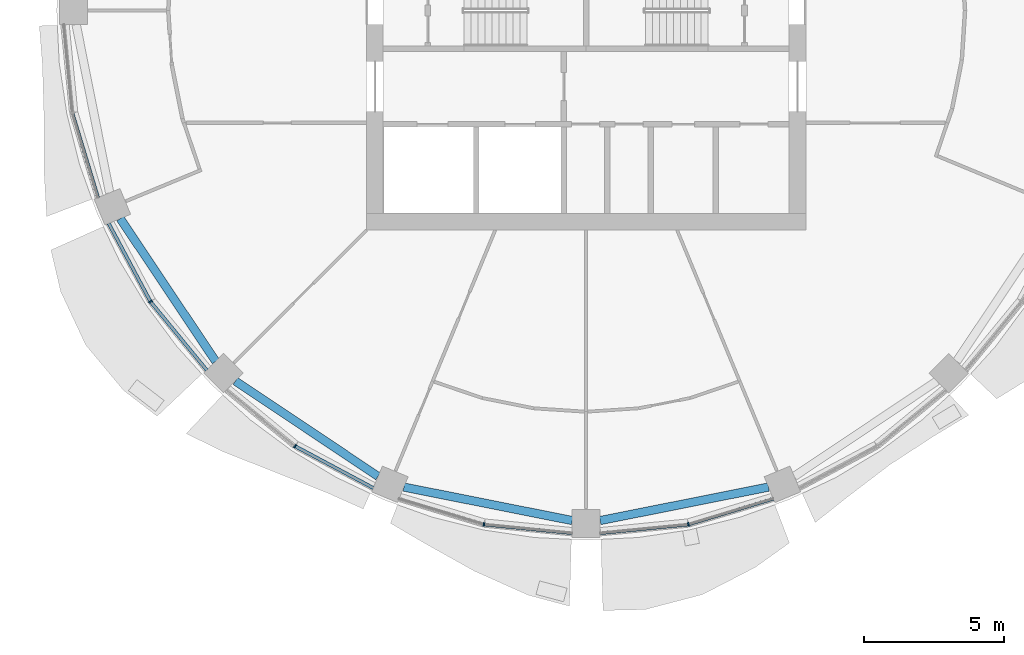
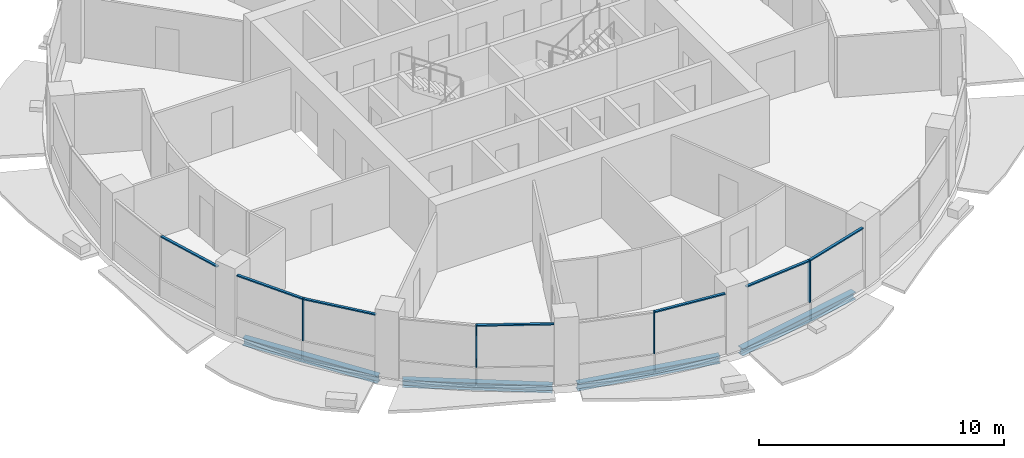
# One storey, part 2 of 15: 11 members, 4 beams, 5 elements without a shape of their own.
"""IFC4 building model written with IfcOpenShell, lengths in metres."""

import ifcopenshell
import ifcopenshell.guid

model = None  # the IFC model being written
_history = None  # IfcOwnerHistory: only IFC2X3 demands one
_inside = {}  # id of a spatial element -> (the spatial element, [elements in it])
_under = {}  # id of a project, library or spatial element -> (it, [spatial elements below it])
_declared = {}  # id of a project -> (the project, [libraries it declares])
_typed = {}  # id of a type object -> (the type object, [elements of that type])
_made_of = {}  # id of a material, layer set ... -> (it, [elements and type objects made of it])


def new_model(schema):
    """Start an empty IFC model of exactly this schema.

    Asked for "IFC4X3", IfcOpenShell would pick the latest addendum, in which some entities
    have other attributes; the version numbers below select the first issue.
    IFC2X3 requires an IfcOwnerHistory on every rooted entity: one is made here for all.
    """
    global model, _history
    if schema == "IFC4X3":
        model = ifcopenshell.file(schema_version=(4, 3, 0, 0))
    else:
        model = ifcopenshell.file(schema=schema)
    _inside.clear()
    _under.clear()
    _declared.clear()
    _typed.clear()
    _made_of.clear()
    _history = None
    if model.schema == "IFC2X3":
        org = make("IfcOrganization", Name="unknown")
        user = make(
            "IfcPersonAndOrganization",
            ThePerson=make("IfcPerson", FamilyName="unknown"),
            TheOrganization=org,
        )
        app = make(
            "IfcApplication",
            ApplicationDeveloper=org,
            Version="unknown",
            ApplicationFullName="unknown",
            ApplicationIdentifier="unknown",
        )
        _history = make(
            "IfcOwnerHistory",
            OwningUser=user,
            OwningApplication=app,
            ChangeAction="ADDED",
            CreationDate=0,
        )
    return model


def make(cls, **values):
    """One entity of the class cls with the attributes given. An attribute that is None is left unset."""
    return model.create_entity(
        cls, **{name: value for name, value in values.items() if value is not None}
    )


def rooted(cls, **values):
    """An entity with a GlobalId (a new one), such as an element, a storey or a relation."""
    return make(cls, GlobalId=ifcopenshell.guid.new(), OwnerHistory=_history, **values)


def si_unit(unit_type, name, prefix=None):
    """IfcSIUnit, for example si_unit("LENGTHUNIT", "METRE", prefix="MILLI")."""
    return make("IfcSIUnit", UnitType=unit_type, Prefix=prefix, Name=name)


def assignment(units):
    """IfcUnitAssignment: the units of a project."""
    return None if units is None else make("IfcUnitAssignment", Units=units)


def point(xyz):
    """IfcCartesianPoint."""
    return None if xyz is None else make("IfcCartesianPoint", Coordinates=xyz)


def direction(xyz):
    """IfcDirection."""
    return None if xyz is None else make("IfcDirection", DirectionRatios=xyz)


def frame(location, z_axis=None, x_axis=None):
    """IfcAxis2Placement3D, a coordinate frame: its origin and axes. An axis left out is left unset."""
    return make(
        "IfcAxis2Placement3D",
        Location=point(location),
        Axis=direction(z_axis),
        RefDirection=direction(x_axis),
    )


def frame_2d(location, x_axis=None):
    """IfcAxis2Placement2D, a coordinate frame in the plane: its origin and x axis."""
    return make(
        "IfcAxis2Placement2D", Location=point(location), RefDirection=direction(x_axis)
    )


def origin():
    """The frame at (0, 0, 0) with its axes left unset."""
    return frame((0.0, 0.0, 0.0))


def origin_2d():
    """The frame at (0, 0) in the plane with its x axis left unset."""
    return frame_2d((0.0, 0.0))


def place(relative_to, where):
    """IfcLocalPlacement: puts the frame where relative to a parent placement (None: the world)."""
    return make(
        "IfcLocalPlacement", PlacementRelTo=relative_to, RelativePlacement=where
    )


def context(
    kind, dimensions, precision=None, world=None, true_north=None, identifier=None
):
    """IfcGeometricRepresentationContext, for example the 3D "Model" context."""
    return make(
        "IfcGeometricRepresentationContext",
        ContextIdentifier=identifier,
        ContextType=kind,
        CoordinateSpaceDimension=dimensions,
        Precision=precision,
        WorldCoordinateSystem=world,
        TrueNorth=true_north,
    )


def subcontext(parent, identifier, kind, view, scale=None):
    """IfcGeometricRepresentationSubContext, for example "Body" below "Model"."""
    return make(
        "IfcGeometricRepresentationSubContext",
        ContextIdentifier=identifier,
        ContextType=kind,
        ParentContext=parent,
        TargetScale=scale,
        TargetView=view,
    )


def project(units=None, contexts=None):
    """IfcProject with its units and contexts."""
    return rooted(
        "IfcProject",
        Name="project",
        RepresentationContexts=contexts,
        UnitsInContext=assignment(units),
    )


def spatial(cls, under=None, at=None, **own):
    """A site, building, storey or space (cls), placed at a placement, below another one or the project."""
    s = rooted(cls, ObjectPlacement=at, **own)
    if under is not None:
        _under.setdefault(under.id(), (under, []))[1].append(s)
    return s


def profile(cls, at=None, kind="AREA", **sizes):
    """A parametric profile (cls). Its sizes go by their IFC names, for example OverallWidth=200.0."""
    return make(cls, ProfileType=kind, Position=at, **sizes)


def rectangle(**sizes):
    """IfcRectangleProfileDef."""
    return profile("IfcRectangleProfileDef", **sizes)


def i_section(**sizes):
    """IfcIShapeProfileDef."""
    return profile("IfcIShapeProfileDef", **sizes)


def extrude(swept, where, along, depth):
    """IfcExtrudedAreaSolid: the profile swept, set in the frame where, extruded along a direction by depth."""
    return make(
        "IfcExtrudedAreaSolid",
        SweptArea=swept,
        Position=where,
        ExtrudedDirection=direction(along),
        Depth=depth,
    )


def shape(context_of_items, identifier, shape_type, items):
    """IfcShapeRepresentation: the items that make up one representation, for example the "Body"."""
    return make(
        "IfcShapeRepresentation",
        ContextOfItems=context_of_items,
        RepresentationIdentifier=identifier,
        RepresentationType=shape_type,
        Items=items,
    )


def material(Name=None, Category=None):
    """IfcMaterial."""
    return make("IfcMaterial", Name=Name, Category=Category)


def material_profile(
    of_material, cross_section, Name=None, Category=None, Priority=None
):
    """IfcMaterialProfile: a cross section and its material."""
    return make(
        "IfcMaterialProfile",
        Name=Name,
        Material=of_material,
        Profile=cross_section,
        Priority=Priority,
        Category=Category,
    )


def profile_set(profiles, Name=None, composite=None):
    """IfcMaterialProfileSet."""
    return make(
        "IfcMaterialProfileSet",
        Name=Name,
        MaterialProfiles=profiles,
        CompositeProfile=composite,
    )


def made_of(thing, what):
    """Note that an element or type object is made of a material, layer set ...; save() writes the relation."""
    if what is not None:
        _made_of.setdefault(what.id(), (what, []))[1].append(thing)
    return thing


def type_object(cls, material=None, **own):
    """A type object (cls), such as IfcWallType, which elements share."""
    return made_of(rooted(cls, **own), material)


def element(
    cls,
    number,
    at=None,
    inside=None,
    cuts=None,
    type_object=None,
    material=None,
    context=None,
    identifier="Body",
    shape_type=None,
    held_by="IfcProductDefinitionShape",
    body=None,
    shapes=None,
    **own,
):
    """One element of the class cls, such as IfcWall. Its Tag is "e" and its number.

    at: its placement. inside: the storey or other place that contains it. cuts: it is an
    opening in that element (IfcRelVoidsElement). A single representation is given by context,
    identifier, shape_type and body (its items); several are given by shapes. held_by: the class
    of the entity that holds the representations. save() writes the other relations.
    """
    e = rooted(cls, Tag="e%d" % number, ObjectPlacement=at, **own)
    if body is not None:
        shapes = [shape(context, identifier, shape_type, body)]
    if shapes is not None:
        e.Representation = make(held_by, Representations=shapes)
    if inside is not None:
        _inside.setdefault(inside.id(), (inside, []))[1].append(e)
    if cuts is not None:
        rooted(
            "IfcRelVoidsElement", RelatingBuildingElement=cuts, RelatedOpeningElement=e
        )
    if type_object is not None:
        _typed.setdefault(type_object.id(), (type_object, []))[1].append(e)
    return made_of(e, material)


def aggregate(whole, parts):
    """IfcRelAggregates: a whole, such as a stair, and the parts it consists of."""
    return rooted("IfcRelAggregates", RelatingObject=whole, RelatedObjects=parts)


def save(model, path):
    """Write the relations noted so far, then the file.

    IfcRelAggregates (storeys below a building ...), IfcRelContainedInSpatialStructure (elements
    in a storey), IfcRelDefinesByType, IfcRelAssociatesMaterial and IfcRelDeclares: one each for
    every whole, place, type object, material and project.
    """
    for whole, parts in _under.values():
        aggregate(whole, parts)
    for where, things in _inside.values():
        rooted(
            "IfcRelContainedInSpatialStructure",
            RelatedElements=things,
            RelatingStructure=where,
        )
    for kind, things in _typed.values():
        rooted("IfcRelDefinesByType", RelatedObjects=things, RelatingType=kind)
    for what, things in _made_of.values():
        rooted("IfcRelAssociatesMaterial", RelatedObjects=things, RelatingMaterial=what)
    for by, libraries in _declared.values():
        rooted("IfcRelDeclares", RelatingContext=by, RelatedDefinitions=libraries)
    model.write(path)


model = new_model("IFC4")

# Units and contexts
model_context = context("Model", 3, precision=1e-05, world=origin(), true_north=direction((0.0, 1.0)))
body_context = subcontext(model_context, "Body", "Model", "MODEL_VIEW")
ifc_project = project(units=[si_unit("LENGTHUNIT", "METRE"), si_unit("AREAUNIT", "SQUARE_METRE"), si_unit("VOLUMEUNIT", "CUBIC_METRE"), si_unit("PLANEANGLEUNIT", "RADIAN"), si_unit("MASSUNIT", "GRAM", prefix="KILO")], contexts=[model_context])

# Site, building, storey
site_placement = place(None, origin())
site = spatial("IfcSite", under=ifc_project, at=site_placement, CompositionType="ELEMENT")
building_placement = place(site_placement, origin())
building = spatial("IfcBuilding", under=site, at=building_placement, Name="Polderwave Tower", CompositionType="ELEMENT")
storey_placement = place(building_placement, frame((0.0, 0.0, 137.699951171875)))
storey = spatial("IfcBuildingStorey", under=building, at=storey_placement, Name="L36", CompositionType="ELEMENT", Elevation=137.699951171875)

# Curtain wall, member
ifc_material_1 = material(Name="Aluminium 6063-T6 and glass", Category="aluminium")
curtain_wall_type = type_object("IfcCurtainWallType", Name="Office ribbon glazing wall", PredefinedType="NOTDEFINED", material=ifc_material_1)
curtain_wall_1_placement = place(storey_placement, origin())
curtain_wall_1 = element("IfcCurtainWall", 1, at=curtain_wall_1_placement, inside=storey, type_object=curtain_wall_type, Name="CW3 L36 09", PredefinedType="NOTDEFINED")
ifc_material_2 = material(Name="Aluminium 6063-T6", Category="aluminium")
ifc_material_profile_1 = material_profile(ifc_material_2, rectangle(XDim=0.139892578125, YDim=0.054931640625, at=origin_2d()), Name="AL 55x140")
ifc_profile_set_1 = profile_set([ifc_material_profile_1], Name="Aluminium 6063-T6")
member_type_1 = type_object("IfcMemberType", Name="Office ribbon glazing mullion 55x140", PredefinedType="MULLION", material=ifc_profile_set_1)
member_1_placement = place(storey_placement, frame((-15.614990234375, -10.43408203125, 0.900146484375), z_axis=(0.0, 0.0, 1.0), x_axis=(0.831411428565, 0.555657301267, 0.0)))
member_1 = element("IfcMember", 2, at=member_1_placement, type_object=member_type_1, Name="CW3 mullion 1", PredefinedType="MULLION", context=body_context, shape_type="SweptSolid", body=[
    extrude(rectangle(XDim=0.139892578125, YDim=0.054931640625, at=origin_2d()), origin(), (0.0, 0.0, 1.0), 2.099853515625),
])

curtain_wall_2_placement = place(storey_placement, origin())
curtain_wall_2 = element("IfcCurtainWall", 3, at=curtain_wall_2_placement, inside=storey, type_object=curtain_wall_type, Name="CW3 L36 10", PredefinedType="NOTDEFINED")
member_2_placement = place(storey_placement, frame((-10.43408203125, -15.614990234375, 0.900146484375), z_axis=(0.0, 0.0, 1.0), x_axis=(0.555657301267, 0.831411428565, 0.0)))
member_2 = element("IfcMember", 4, at=member_2_placement, type_object=member_type_1, Name="CW3 mullion 1", PredefinedType="MULLION", context=body_context, shape_type="SweptSolid", body=[
    extrude(rectangle(XDim=0.139892578125, YDim=0.054931640625, at=origin_2d()), origin(), (0.0, 0.0, 1.0), 2.099853515625),
])

curtain_wall_3_placement = place(storey_placement, origin())
curtain_wall_3 = element("IfcCurtainWall", 5, at=curtain_wall_3_placement, inside=storey, type_object=curtain_wall_type, Name="CW3 L36 11", PredefinedType="NOTDEFINED")
member_3_placement = place(storey_placement, frame((-3.6640625, -18.4189453125, 0.900146484375), z_axis=(0.0, 0.0, 1.0), x_axis=(0.195179334461, 0.980767570528, 0.0)))
member_3 = element("IfcMember", 6, at=member_3_placement, type_object=member_type_1, Name="CW3 mullion 1", PredefinedType="MULLION", context=body_context, shape_type="SweptSolid", body=[
    extrude(rectangle(XDim=0.139892578125, YDim=0.054931640625, at=origin_2d()), origin(), (0.0, 0.0, 1.0), 2.099853515625),
])

curtain_wall_4_placement = place(storey_placement, origin())
curtain_wall_4 = element("IfcCurtainWall", 7, at=curtain_wall_4_placement, inside=storey, type_object=curtain_wall_type, Name="CW3 L36 12", PredefinedType="NOTDEFINED")
member_4_placement = place(storey_placement, frame((3.6640625, -18.4189453125, 0.900146484375), z_axis=(0.0, 0.0, 1.0), x_axis=(-0.195179334461, 0.980767570528, 0.0)))
member_4 = element("IfcMember", 8, at=member_4_placement, type_object=member_type_1, Name="CW3 mullion 1", PredefinedType="MULLION", context=body_context, shape_type="SweptSolid", body=[
    extrude(rectangle(XDim=0.139892578125, YDim=0.054931640625, at=origin_2d()), origin(), (0.0, 0.0, 1.0), 2.099853515625),
])

curtain_wall_5_placement = place(storey_placement, origin())
curtain_wall_5 = element("IfcCurtainWall", 9, at=curtain_wall_5_placement, inside=storey, type_object=curtain_wall_type, Name="CW3 L36 08", PredefinedType="NOTDEFINED")
ifc_material_profile_2 = material_profile(ifc_material_2, rectangle(XDim=0.1201171875, YDim=0.06005859375, at=origin_2d()), Name="AL 60x120")
ifc_profile_set_2 = profile_set([ifc_material_profile_2], Name="Aluminium 6063-T6")
member_type_2 = type_object("IfcMemberType", Name="Office ribbon glazing transom 60x120", PredefinedType="USERDEFINED", material=ifc_profile_set_2)
member_5_placement = place(storey_placement, frame((-18.410888671875, -3.690185546875, 2.969970703125), z_axis=(0.290267539602, -0.956945534215, 0.0), x_axis=(0.956945534215, 0.290267539602, 0.0)))
member_5 = element("IfcMember", 10, at=member_5_placement, type_object=member_type_2, Name="CW3 transom 2", ObjectType="TRANSOM", PredefinedType="USERDEFINED", context=body_context, shape_type="SweptSolid", body=[
    extrude(rectangle(XDim=0.1201171875, YDim=0.06005859375, at=origin_2d()), origin(), (0.0, 0.0, 1.0), 3.151611328125),
])
aggregate(curtain_wall_5, [member_5])

# Member
member_6_placement = place(storey_placement, frame((-17.114013671875, -7.6298828125, 2.969970703125), z_axis=(0.471460363877, -0.88188725203, 0.0), x_axis=(0.88188725203, 0.471460363877, 0.0)))
member_6 = element("IfcMember", 11, at=member_6_placement, type_object=member_type_2, Name="CW3 transom 1", ObjectType="TRANSOM", PredefinedType="USERDEFINED", context=body_context, shape_type="SweptSolid", body=[
    extrude(rectangle(XDim=0.1201171875, YDim=0.06005859375, at=origin_2d()), origin(), (0.0, 0.0, 1.0), 3.152099609375),
])

member_7_placement = place(storey_placement, frame((-15.59765625, -10.455322265625, 2.969970703125), z_axis=(0.634536204131, -0.772893139863, 0.0), x_axis=(0.772893139863, 0.634536204131, 0.0)))
member_7 = element("IfcMember", 12, at=member_7_placement, type_object=member_type_2, Name="CW3 transom 2", ObjectType="TRANSOM", PredefinedType="USERDEFINED", context=body_context, shape_type="SweptSolid", body=[
    extrude(rectangle(XDim=0.1201171875, YDim=0.06005859375, at=origin_2d()), origin(), (0.0, 0.0, 1.0), 3.151611328125),
])

aggregate(curtain_wall_1, [member_1, member_6, member_7])

member_8_placement = place(storey_placement, frame((-10.40966796875, -15.6279296875, 2.969970703125), z_axis=(0.88188725203, -0.471460363877, 0.0), x_axis=(0.471460363877, 0.88188725203, 0.0)))
member_8 = element("IfcMember", 13, at=member_8_placement, type_object=member_type_2, Name="CW3 transom 2", ObjectType="TRANSOM", PredefinedType="USERDEFINED", context=body_context, shape_type="SweptSolid", body=[
    extrude(rectangle(XDim=0.1201171875, YDim=0.06005859375, at=origin_2d()), origin(), (0.0, 0.0, 1.0), 3.152099609375),
])

aggregate(curtain_wall_2, [member_2, member_8])

member_9_placement = place(storey_placement, frame((-3.63671875, -18.421630859375, 2.969970703125), z_axis=(0.995172762919, -0.09813853445, 0.0), x_axis=(0.09813853445, 0.995172762919, 0.0)))
member_9 = element("IfcMember", 14, at=member_9_placement, type_object=member_type_2, Name="CW3 transom 2", ObjectType="TRANSOM", PredefinedType="USERDEFINED", context=body_context, shape_type="SweptSolid", body=[
    extrude(rectangle(XDim=0.1201171875, YDim=0.06005859375, at=origin_2d()), origin(), (0.0, 0.0, 1.0), 3.15185546875),
])

aggregate(curtain_wall_3, [member_3, member_9])

member_10_placement = place(storey_placement, frame((0.5, -18.73095703125, 2.969970703125), z_axis=(0.995172762919, 0.09813853445, 0.0), x_axis=(-0.09813853445, 0.995172762919, 0.0)))
member_10 = element("IfcMember", 15, at=member_10_placement, type_object=member_type_2, Name="CW3 transom 1", ObjectType="TRANSOM", PredefinedType="USERDEFINED", context=body_context, shape_type="SweptSolid", body=[
    extrude(rectangle(XDim=0.1201171875, YDim=0.06005859375, at=origin_2d()), origin(), (0.0, 0.0, 1.0), 3.15185546875),
])

member_11_placement = place(storey_placement, frame((3.690185546875, -18.410888671875, 2.969970703125), z_axis=(0.956945534215, 0.290267539602, 0.0), x_axis=(-0.290267539602, 0.956945534215, 0.0)))
member_11 = element("IfcMember", 16, at=member_11_placement, type_object=member_type_2, Name="CW3 transom 2", ObjectType="TRANSOM", PredefinedType="USERDEFINED", context=body_context, shape_type="SweptSolid", body=[
    extrude(rectangle(XDim=0.1201171875, YDim=0.06005859375, at=origin_2d()), origin(), (0.0, 0.0, 1.0), 3.151611328125),
])

aggregate(curtain_wall_4, [member_4, member_10, member_11])

# Beams
ifc_material_3 = material(Name="Steel S355", Category="steel")
ifc_material_profile_3 = material_profile(ifc_material_3, i_section(OverallWidth=0.300048828125, OverallDepth=0.360107421875, WebThickness=0.012451171875, FlangeThickness=0.0224609375, at=origin_2d()), Name="HE 360 B")
ifc_profile_set_3 = profile_set([ifc_material_profile_3], Name="Steel S355")
beam_type = type_object("IfcBeamType", Name="RING BEAM HE 360 B", PredefinedType="BEAM", material=ifc_profile_set_3)
for number, where, z_axis, x_axis, name in (
    (17, (-16.69775390625, -7.45751953125, -0.530029296875), (0.555579044629, -0.831463724506, 0.0), (0.831463724506, 0.555579044629, 0.0), "ST-RB-L36-09"),
    (18, (-12.57275390625, -13.27978515625, -0.530029296875), (0.831463724506, -0.555579044629, 0.0), (0.555579044629, 0.831463724506, 0.0), "ST-RB-L36-10"),
):
    element("IfcBeam", number, at=place(storey_placement, frame(where, z_axis=z_axis, x_axis=x_axis)), inside=storey, type_object=beam_type, Name=name, PredefinedType="BEAM", context=body_context, shape_type="SweptSolid", body=[
        extrude(i_section(OverallWidth=0.300048828125, OverallDepth=0.360107421875, WebThickness=0.012451171875, FlangeThickness=0.0224609375, at=origin_2d()), origin(), (0.0, 0.0, 1.0), 6.152099609375),
    ])
for number, where, z_axis, x_axis, name in (
    (19, (-6.53369140625, -17.080322265625, -0.530029296875), (0.9807846748, -0.195093366566, 0.0), (0.195093366566, 0.9807846748, 0.0), "ST-RB-L36-11"),
    (20, (0.5, -18.280517578125, -0.530029296875), (0.9807846748, 0.195093366566, 0.0), (-0.195093366566, 0.9807846748, 0.0), "ST-RB-L36-12"),
):
    element("IfcBeam", number, at=place(storey_placement, frame(where, z_axis=z_axis, x_axis=x_axis)), inside=storey, type_object=beam_type, Name=name, PredefinedType="BEAM", context=body_context, shape_type="SweptSolid", body=[
        extrude(i_section(OverallWidth=0.300048828125, OverallDepth=0.360107421875, WebThickness=0.012451171875, FlangeThickness=0.0224609375, at=origin_2d()), origin(), (0.0, 0.0, 1.0), 6.15185546875),
    ])

save(model, "model.ifc")
